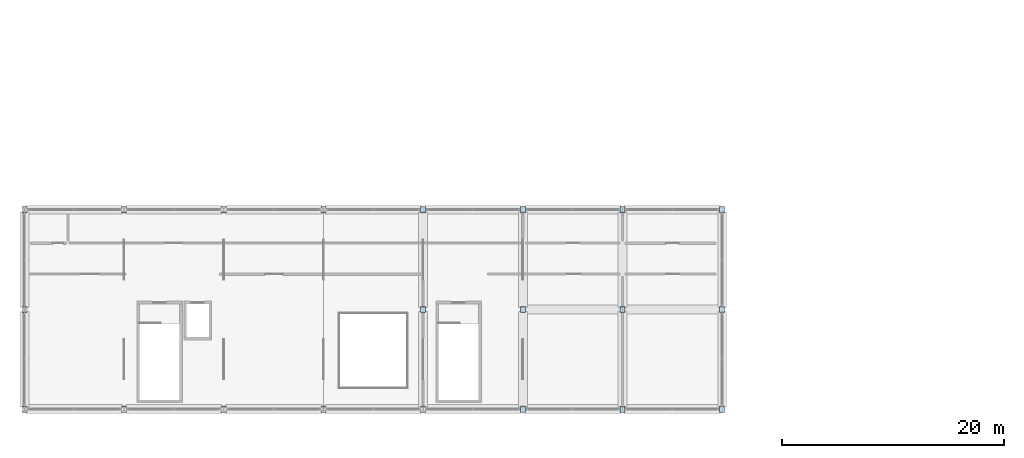
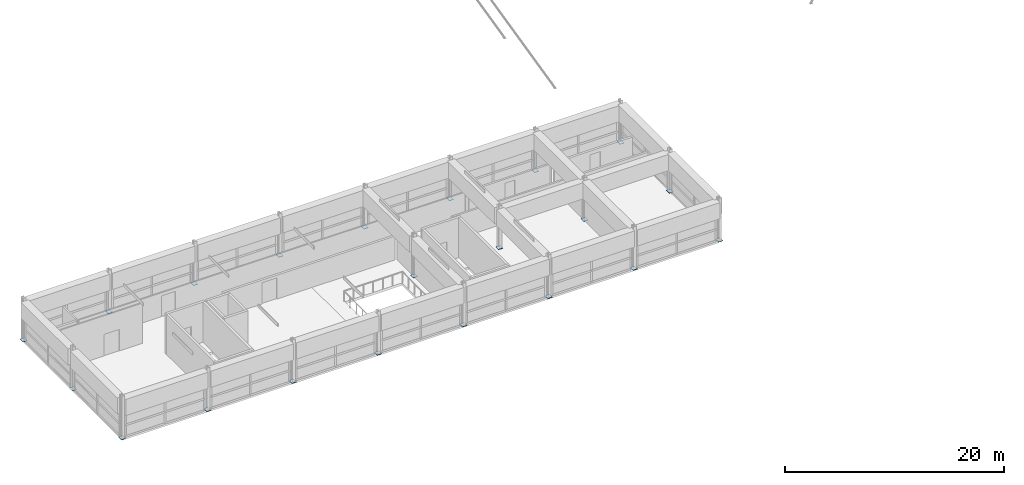
# One storey, part 47 of 56: 21 plates.
"""IFC4 building model written with IfcOpenShell, lengths in metres."""

import ifcopenshell
import ifcopenshell.guid

model = None  # the IFC model being written
_history = None  # IfcOwnerHistory: only IFC2X3 demands one
_inside = {}  # id of a spatial element -> (the spatial element, [elements in it])
_under = {}  # id of a project, library or spatial element -> (it, [spatial elements below it])
_declared = {}  # id of a project -> (the project, [libraries it declares])
_typed = {}  # id of a type object -> (the type object, [elements of that type])
_made_of = {}  # id of a material, layer set ... -> (it, [elements and type objects made of it])


def new_model(schema):
    """Start an empty IFC model of exactly this schema.

    Asked for "IFC4X3", IfcOpenShell would pick the latest addendum, in which some entities
    have other attributes; the version numbers below select the first issue.
    IFC2X3 requires an IfcOwnerHistory on every rooted entity: one is made here for all.
    """
    global model, _history
    if schema == "IFC4X3":
        model = ifcopenshell.file(schema_version=(4, 3, 0, 0))
    else:
        model = ifcopenshell.file(schema=schema)
    _inside.clear()
    _under.clear()
    _declared.clear()
    _typed.clear()
    _made_of.clear()
    _history = None
    if model.schema == "IFC2X3":
        org = make("IfcOrganization", Name="unknown")
        user = make(
            "IfcPersonAndOrganization",
            ThePerson=make("IfcPerson", FamilyName="unknown"),
            TheOrganization=org,
        )
        app = make(
            "IfcApplication",
            ApplicationDeveloper=org,
            Version="unknown",
            ApplicationFullName="unknown",
            ApplicationIdentifier="unknown",
        )
        _history = make(
            "IfcOwnerHistory",
            OwningUser=user,
            OwningApplication=app,
            ChangeAction="ADDED",
            CreationDate=0,
        )
    return model


def make(cls, **values):
    """One entity of the class cls with the attributes given. An attribute that is None is left unset."""
    return model.create_entity(
        cls, **{name: value for name, value in values.items() if value is not None}
    )


def rooted(cls, **values):
    """An entity with a GlobalId (a new one), such as an element, a storey or a relation."""
    return make(cls, GlobalId=ifcopenshell.guid.new(), OwnerHistory=_history, **values)


def si_unit(unit_type, name, prefix=None):
    """IfcSIUnit, for example si_unit("LENGTHUNIT", "METRE", prefix="MILLI")."""
    return make("IfcSIUnit", UnitType=unit_type, Prefix=prefix, Name=name)


def assignment(units):
    """IfcUnitAssignment: the units of a project."""
    return None if units is None else make("IfcUnitAssignment", Units=units)


def point(xyz):
    """IfcCartesianPoint."""
    return None if xyz is None else make("IfcCartesianPoint", Coordinates=xyz)


def direction(xyz):
    """IfcDirection."""
    return None if xyz is None else make("IfcDirection", DirectionRatios=xyz)


def frame(location, z_axis=None, x_axis=None):
    """IfcAxis2Placement3D, a coordinate frame: its origin and axes. An axis left out is left unset."""
    return make(
        "IfcAxis2Placement3D",
        Location=point(location),
        Axis=direction(z_axis),
        RefDirection=direction(x_axis),
    )


def frame_2d(location, x_axis=None):
    """IfcAxis2Placement2D, a coordinate frame in the plane: its origin and x axis."""
    return make(
        "IfcAxis2Placement2D", Location=point(location), RefDirection=direction(x_axis)
    )


def origin():
    """The frame at (0, 0, 0) with its axes left unset."""
    return frame((0.0, 0.0, 0.0))


def origin_2d():
    """The frame at (0, 0) in the plane with its x axis left unset."""
    return frame_2d((0.0, 0.0))


def place(relative_to, where):
    """IfcLocalPlacement: puts the frame where relative to a parent placement (None: the world)."""
    return make(
        "IfcLocalPlacement", PlacementRelTo=relative_to, RelativePlacement=where
    )


def context(
    kind, dimensions, precision=None, world=None, true_north=None, identifier=None
):
    """IfcGeometricRepresentationContext, for example the 3D "Model" context."""
    return make(
        "IfcGeometricRepresentationContext",
        ContextIdentifier=identifier,
        ContextType=kind,
        CoordinateSpaceDimension=dimensions,
        Precision=precision,
        WorldCoordinateSystem=world,
        TrueNorth=true_north,
    )


def subcontext(parent, identifier, kind, view, scale=None):
    """IfcGeometricRepresentationSubContext, for example "Body" below "Model"."""
    return make(
        "IfcGeometricRepresentationSubContext",
        ContextIdentifier=identifier,
        ContextType=kind,
        ParentContext=parent,
        TargetScale=scale,
        TargetView=view,
    )


def project(units=None, contexts=None):
    """IfcProject with its units and contexts."""
    return rooted(
        "IfcProject",
        Name="project",
        RepresentationContexts=contexts,
        UnitsInContext=assignment(units),
    )


def spatial(cls, under=None, at=None, **own):
    """A site, building, storey or space (cls), placed at a placement, below another one or the project."""
    s = rooted(cls, ObjectPlacement=at, **own)
    if under is not None:
        _under.setdefault(under.id(), (under, []))[1].append(s)
    return s


def profile(cls, at=None, kind="AREA", **sizes):
    """A parametric profile (cls). Its sizes go by their IFC names, for example OverallWidth=200.0."""
    return make(cls, ProfileType=kind, Position=at, **sizes)


def rectangle(**sizes):
    """IfcRectangleProfileDef."""
    return profile("IfcRectangleProfileDef", **sizes)


def extrude(swept, where, along, depth):
    """IfcExtrudedAreaSolid: the profile swept, set in the frame where, extruded along a direction by depth."""
    return make(
        "IfcExtrudedAreaSolid",
        SweptArea=swept,
        Position=where,
        ExtrudedDirection=direction(along),
        Depth=depth,
    )


def shape(context_of_items, identifier, shape_type, items):
    """IfcShapeRepresentation: the items that make up one representation, for example the "Body"."""
    return make(
        "IfcShapeRepresentation",
        ContextOfItems=context_of_items,
        RepresentationIdentifier=identifier,
        RepresentationType=shape_type,
        Items=items,
    )


def material(Name=None, Category=None):
    """IfcMaterial."""
    return make("IfcMaterial", Name=Name, Category=Category)


def layer(
    of_material, thickness, ventilated=None, Name=None, Category=None, Priority=None
):
    """IfcMaterialLayer: one layer of a wall or slab, of a material (None: an air gap)."""
    return make(
        "IfcMaterialLayer",
        Material=of_material,
        LayerThickness=thickness,
        IsVentilated=ventilated,
        Name=Name,
        Category=Category,
        Priority=Priority,
    )


def layer_set(layers, Name=None):
    """IfcMaterialLayerSet."""
    return make("IfcMaterialLayerSet", MaterialLayers=layers, LayerSetName=Name)


def made_of(thing, what):
    """Note that an element or type object is made of a material, layer set ...; save() writes the relation."""
    if what is not None:
        _made_of.setdefault(what.id(), (what, []))[1].append(thing)
    return thing


def type_object(cls, material=None, **own):
    """A type object (cls), such as IfcWallType, which elements share."""
    return made_of(rooted(cls, **own), material)


def element(
    cls,
    number,
    at=None,
    inside=None,
    cuts=None,
    type_object=None,
    material=None,
    context=None,
    identifier="Body",
    shape_type=None,
    held_by="IfcProductDefinitionShape",
    body=None,
    shapes=None,
    **own,
):
    """One element of the class cls, such as IfcWall. Its Tag is "e" and its number.

    at: its placement. inside: the storey or other place that contains it. cuts: it is an
    opening in that element (IfcRelVoidsElement). A single representation is given by context,
    identifier, shape_type and body (its items); several are given by shapes. held_by: the class
    of the entity that holds the representations. save() writes the other relations.
    """
    e = rooted(cls, Tag="e%d" % number, ObjectPlacement=at, **own)
    if body is not None:
        shapes = [shape(context, identifier, shape_type, body)]
    if shapes is not None:
        e.Representation = make(held_by, Representations=shapes)
    if inside is not None:
        _inside.setdefault(inside.id(), (inside, []))[1].append(e)
    if cuts is not None:
        rooted(
            "IfcRelVoidsElement", RelatingBuildingElement=cuts, RelatedOpeningElement=e
        )
    if type_object is not None:
        _typed.setdefault(type_object.id(), (type_object, []))[1].append(e)
    return made_of(e, material)


def aggregate(whole, parts):
    """IfcRelAggregates: a whole, such as a stair, and the parts it consists of."""
    return rooted("IfcRelAggregates", RelatingObject=whole, RelatedObjects=parts)


def save(model, path):
    """Write the relations noted so far, then the file.

    IfcRelAggregates (storeys below a building ...), IfcRelContainedInSpatialStructure (elements
    in a storey), IfcRelDefinesByType, IfcRelAssociatesMaterial and IfcRelDeclares: one each for
    every whole, place, type object, material and project.
    """
    for whole, parts in _under.values():
        aggregate(whole, parts)
    for where, things in _inside.values():
        rooted(
            "IfcRelContainedInSpatialStructure",
            RelatedElements=things,
            RelatingStructure=where,
        )
    for kind, things in _typed.values():
        rooted("IfcRelDefinesByType", RelatedObjects=things, RelatingType=kind)
    for what, things in _made_of.values():
        rooted("IfcRelAssociatesMaterial", RelatedObjects=things, RelatingMaterial=what)
    for by, libraries in _declared.values():
        rooted("IfcRelDeclares", RelatingContext=by, RelatedDefinitions=libraries)
    model.write(path)


model = new_model("IFC4")

# Units and contexts
model_context = context("Model", 3, precision=1e-05, world=origin(), true_north=direction((0.0, 1.0)))
body_context = subcontext(model_context, "Body", "Model", "MODEL_VIEW")
ifc_project = project(units=[si_unit("LENGTHUNIT", "METRE"), si_unit("AREAUNIT", "SQUARE_METRE"), si_unit("VOLUMEUNIT", "CUBIC_METRE"), si_unit("PLANEANGLEUNIT", "RADIAN"), si_unit("MASSUNIT", "GRAM", prefix="KILO")], contexts=[model_context])

# Site, building, storey
site_placement = place(None, origin())
site = spatial("IfcSite", under=ifc_project, at=site_placement, CompositionType="ELEMENT")
building_placement = place(site_placement, origin())
building = spatial("IfcBuilding", under=site, at=building_placement, Name="Bozkorgan Art Gallery", CompositionType="ELEMENT")
storey_placement = place(building_placement, frame((0.0, 0.0, 24.0)))
storey = spatial("IfcBuildingStorey", under=building, at=storey_placement, Name="L05", CompositionType="ELEMENT", Elevation=24.0)

# Plates
ifc_material = material(Name="Steel S355J2", Category="steel")
ifc_layer_1 = layer(ifc_material, 0.031982421875, Name="Steel S355J2")
ifc_layer_set_1 = layer_set([ifc_layer_1], Name="Steel S355J2")
plate_type_1 = type_object("IfcPlateType", Name="PLATE-BP-22", PredefinedType="USERDEFINED", material=ifc_layer_set_1)
for number, where, z_axis, x_axis, name in (
    (1, (38.0, 11.0, 0.0), (0.0, 0.0, 1.0), (1.0, 0.0, 0.0), "COL-V1-L05-38-11 base plate"),
    (2, (47.0, 11.0, 0.0), (0.0, 0.0, 1.0), (1.0, 0.0, 0.0), "COL-V1-L05-47-11 base plate"),
    (3, (56.0, 11.0, 0.0), (0.0, 0.0, 1.0), (1.0, 0.0, 0.0), "COL-V1-L05-56-11 base plate"),
):
    element("IfcPlate", number, at=place(storey_placement, frame(where, z_axis=z_axis, x_axis=x_axis)), inside=storey, type_object=plate_type_1, Name=name, ObjectType="END CAP PLATE", PredefinedType="USERDEFINED", context=body_context, shape_type="SweptSolid", body=[
        extrude(rectangle(XDim=0.4599609375, YDim=0.52001953125, at=origin_2d()), origin(), (0.0, 0.0, 1.0), 0.031982421875),
    ])
ifc_layer_2 = layer(ifc_material, 0.031982421875, Name="Steel S355J2")
ifc_layer_set_2 = layer_set([ifc_layer_2], Name="Steel S355J2")
plate_type_2 = type_object("IfcPlateType", Name="PLATE-BP-66", PredefinedType="USERDEFINED", material=ifc_layer_set_2)
for number, where, z_axis, x_axis, name in (
    (4, (2.0, 2.0, 0.0), (0.0, 0.0, 1.0), (1.0, 0.0, 0.0), "COL-V1-L05-2-2 base plate"),
    (5, (2.0, 11.0, 0.0), (0.0, 0.0, 1.0), (1.0, 0.0, 0.0), "COL-V1-L05-2-11 base plate"),
    (6, (2.0, 20.0, 0.0), (0.0, 0.0, 1.0), (1.0, 0.0, 0.0), "COL-V1-L05-2-20 base plate"),
    (7, (11.0, 2.0, 0.0), (0.0, 0.0, 1.0), (1.0, 0.0, 0.0), "COL-V1-L05-11-2 base plate"),
    (8, (11.0, 20.0, 0.0), (0.0, 0.0, 1.0), (1.0, 0.0, 0.0), "COL-V1-L05-11-20 base plate"),
    (9, (20.0, 2.0, 0.0), (0.0, 0.0, 1.0), (1.0, 0.0, 0.0), "COL-V1-L05-20-2 base plate"),
    (10, (20.0, 20.0, 0.0), (0.0, 0.0, 1.0), (1.0, 0.0, 0.0), "COL-V1-L05-20-20 base plate"),
    (11, (29.0, 2.0, 0.0), (0.0, 0.0, 1.0), (1.0, 0.0, 0.0), "COL-V1-L05-29-2 base plate"),
    (12, (29.0, 20.0, 0.0), (0.0, 0.0, 1.0), (1.0, 0.0, 0.0), "COL-V1-L05-29-20 base plate"),
    (13, (38.0, 2.0, 0.0), (0.0, 0.0, 1.0), (1.0, 0.0, 0.0), "COL-V1-L05-38-2 base plate"),
    (14, (38.0, 20.0, 0.0), (0.0, 0.0, 1.0), (1.0, 0.0, 0.0), "COL-V1-L05-38-20 base plate"),
    (15, (47.0, 2.0, 0.0), (0.0, 0.0, 1.0), (1.0, 0.0, 0.0), "COL-V1-L05-47-2 base plate"),
    (16, (47.0, 20.0, 0.0), (0.0, 0.0, 1.0), (1.0, 0.0, 0.0), "COL-V1-L05-47-20 base plate"),
    (17, (56.0, 2.0, 0.0), (0.0, 0.0, 1.0), (1.0, 0.0, 0.0), "COL-V1-L05-56-2 base plate"),
    (18, (56.0, 20.0, 0.0), (0.0, 0.0, 1.0), (1.0, 0.0, 0.0), "COL-V1-L05-56-20 base plate"),
    (19, (65.0, 2.0, 0.0), (0.0, 0.0, 1.0), (1.0, 0.0, 0.0), "COL-V1-L05-65-2 base plate"),
    (20, (65.0, 11.0, 0.0), (0.0, 0.0, 1.0), (1.0, 0.0, 0.0), "COL-V1-L05-65-11 base plate"),
    (21, (65.0, 20.0, 0.0), (0.0, 0.0, 1.0), (1.0, 0.0, 0.0), "COL-V1-L05-65-20 base plate"),
):
    element("IfcPlate", number, at=place(storey_placement, frame(where, z_axis=z_axis, x_axis=x_axis)), inside=storey, type_object=plate_type_2, Name=name, ObjectType="END CAP PLATE", PredefinedType="USERDEFINED", context=body_context, shape_type="SweptSolid", body=[
        extrude(rectangle(XDim=0.4599609375, YDim=0.56005859375, at=origin_2d()), origin(), (0.0, 0.0, 1.0), 0.031982421875),
    ])

save(model, "model.ifc")
